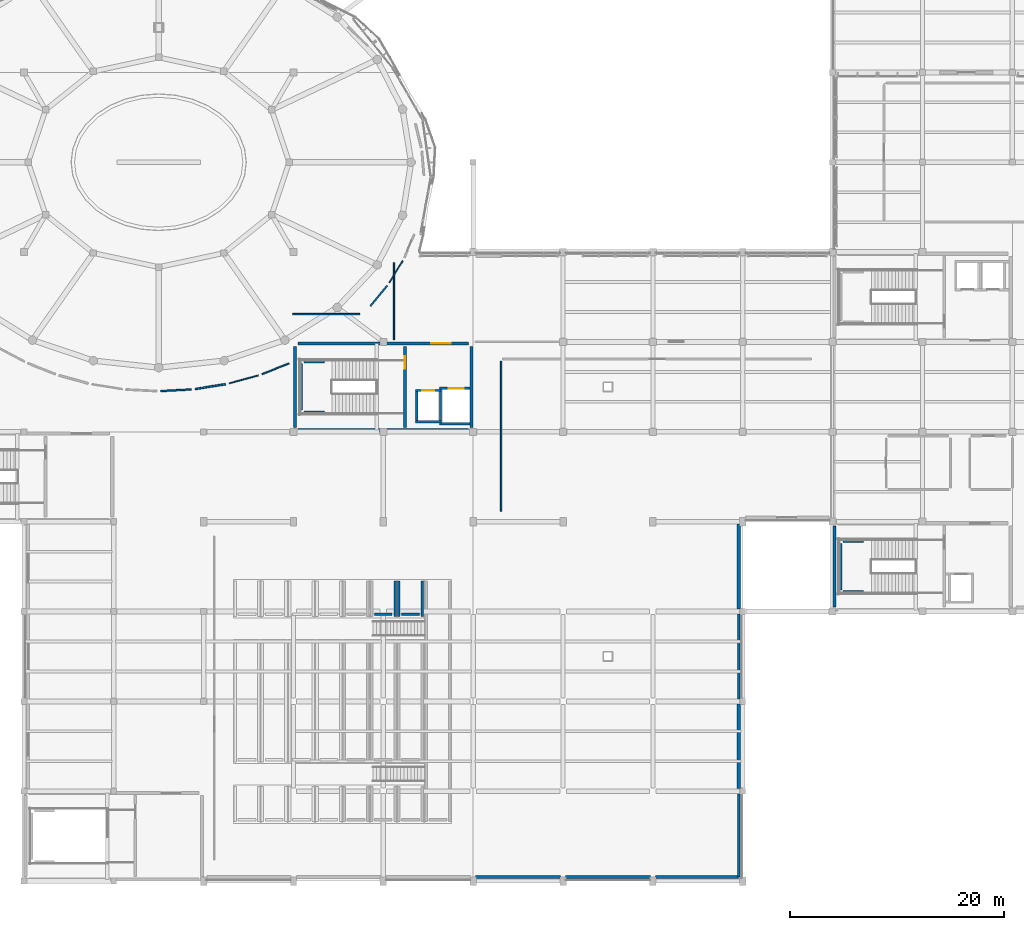
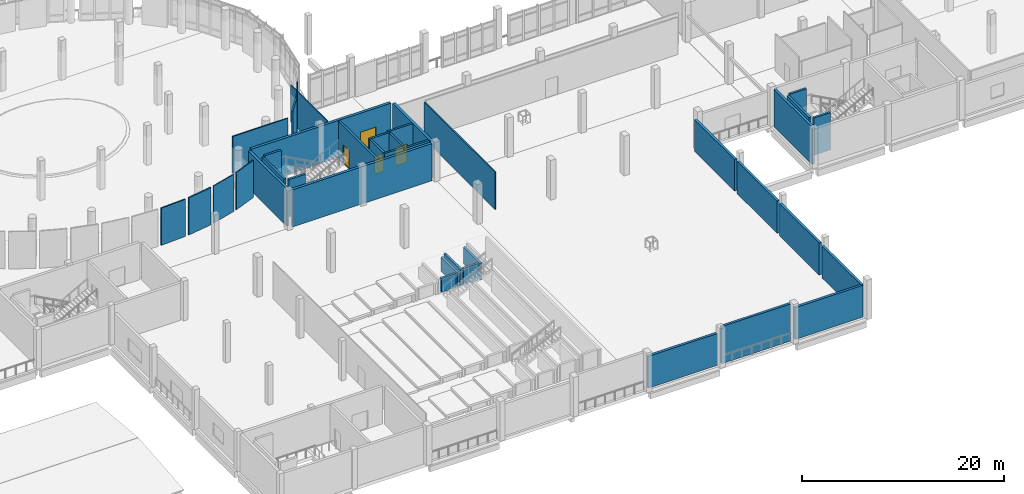
# One storey, part 42 of 63: 39 walls, 4 doors, 4 openings.
"""IFC4 building model written with IfcOpenShell, lengths in metres."""

from ifc_helpers import new_model, si_unit, derived_unit, direction, frame, frame_2d, origin, place, context, subcontext, project, spatial, rectangle, extrude, material, layer, layer_set, type_object, element, fill, save


model = new_model("IFC4")

# Units and contexts
model_context = context("Model", 3, precision=1e-05, world=origin(), true_north=direction((0.0, 1.0)))
body_context = subcontext(model_context, "Body", "Model", "MODEL_VIEW")
ifc_project = project(units=[si_unit("LENGTHUNIT", "METRE"), si_unit("AREAUNIT", "SQUARE_METRE"), si_unit("VOLUMEUNIT", "CUBIC_METRE"), si_unit("PLANEANGLEUNIT", "RADIAN"), si_unit("MASSUNIT", "GRAM", prefix="KILO"), derived_unit("THERMALTRANSMITTANCEUNIT", [(si_unit("POWERUNIT", "WATT"), 1), (si_unit("LENGTHUNIT", "METRE"), -2), (si_unit("THERMODYNAMICTEMPERATUREUNIT", "KELVIN"), -1)])], contexts=[model_context])

# Site, building, storey
site_placement = place(None, origin())
site = spatial("IfcSite", under=ifc_project, at=site_placement, CompositionType="ELEMENT")
building_placement = place(site_placement, origin())
building = spatial("IfcBuilding", under=site, at=building_placement, Name="Elbkamm Science Centre", CompositionType="ELEMENT")
storey_placement = place(building_placement, frame((0.0, 0.0, 5.10009765625)))
storey = spatial("IfcBuildingStorey", under=building, at=storey_placement, Name="L01", CompositionType="ELEMENT", Elevation=5.10009765625)

# Walls
ifc_material_1 = material(Name="Reinforced concrete C40/50", Category="concrete")
ifc_layer_1 = layer(ifc_material_1, 0.25)
ifc_layer_set_1 = layer_set([ifc_layer_1], Name="Reinforced concrete C40/50")
wall_type_1 = type_object("IfcWallType", Name="WL-CORE-250", PredefinedType="SHEAR", material=ifc_layer_set_1)
wall_1_placement = place(storey_placement, frame((76.340087890625, 44.02001953125, 0.0), z_axis=(0.0, 0.0, 1.0), x_axis=(0.0, 1.0, 0.0)))
element("IfcWall", 1, at=wall_1_placement, inside=storey, type_object=wall_type_1, Name="L01 ST-C2 Shaft Bearing Wall W", PredefinedType="SHEAR", context=body_context, shape_type="SweptSolid", body=[
    extrude(rectangle(XDim=4.35986328125, YDim=0.25, at=frame_2d((2.179931640625, 0.0))), origin(), (0.0, 0.0, 1.0), 4.5),
])
for number, where, z_axis, x_axis, name in (
    (2, (76.590087890625, 43.820068359375, 0.0), (0.0, 0.0, 1.0), (1.0, 0.0, 0.0), "L01 ST-C2 Shaft Bearing Wall S"),
    (3, (76.590087890625, 48.580078125, 0.0), (0.0, 0.0, 1.0), (1.0, 0.0, 0.0), "L01 ST-C2 Shaft Bearing Wall N"),
):
    element("IfcWall", number, at=place(storey_placement, frame(where, z_axis=z_axis, x_axis=x_axis)), inside=storey, type_object=wall_type_1, Name=name, PredefinedType="SHEAR", context=body_context, shape_type="SweptSolid", body=[
        extrude(rectangle(XDim=1.889892578125, YDim=0.25, at=frame_2d((0.94482421875, 0.0))), origin(), (0.0, 0.0, 1.0), 4.5),
    ])

# Wall, opening, door
wall_2_placement = place(storey_placement, frame((86.02001953125, 42.419921875, 0.0), z_axis=(0.0, 0.0, 1.0), x_axis=(0.0, 1.0, 0.0)))
wall_2 = element("IfcWall", 4, at=wall_2_placement, inside=storey, type_object=wall_type_1, Name="L01 C2 Stairwell Compartment Wall", PredefinedType="SHEAR", context=body_context, shape_type="SweptSolid", body=[
    extrude(rectangle(XDim=7.56005859375, YDim=0.25, at=frame_2d((3.780029296875, 0.0))), origin(), (0.0, 0.0, 1.0), 4.5),
])
opening_1_placement = place(wall_2_placement, frame((5.4599609375, 0.0, 0.0)))
opening_1 = element("IfcOpeningElement", 5, at=opening_1_placement, cuts=wall_2, Name="Opening DC-02", PredefinedType="OPENING", context=body_context, shape_type="SweptSolid", body=[
    extrude(rectangle(XDim=1.199951171875, YDim=2.199951171875, at=frame_2d((0.60009765625, 1.10009765625))), frame((0.0, 0.136962890625, 0.0), z_axis=(0.0, -1.0, 0.0), x_axis=(1.0, 0.0, 0.0)), (0.0, 0.0, 1.0), 0.27392578125),
])
ifc_material_2 = material(Name="Fire-rated steel acoustic door", Category="steel")
ifc_layer_2 = layer(ifc_material_2, 0.050048828125)
ifc_layer_set_2 = layer_set([ifc_layer_2], Name="Fire-rated steel acoustic door")
door_type_1 = type_object("IfcDoorType", Name="DR-CORE-1200x2200", OperationType="NOTDEFINED", PredefinedType="DOOR", material=ifc_layer_set_2)
door_1_placement = place(opening_1_placement, origin())
door_1 = element("IfcDoor", 6, at=door_1_placement, inside=storey, type_object=door_type_1, Name="L01 ST-C2 Stairwell Fire Door", OperationType="SINGLE_SWING_RIGHT", OverallHeight=2.199951171875, OverallWidth=1.199951171875, PredefinedType="DOOR", context=body_context, shape_type="SweptSolid", body=[
    extrude(rectangle(XDim=1.199951171875, YDim=2.199951171875, at=frame_2d((0.60009765625, 1.10009765625))), frame((0.0, 0.02490234375, 0.0), z_axis=(0.0, -1.0, 0.0), x_axis=(1.0, 0.0, 0.0)), (0.0, 0.0, 1.0), 0.050048828125),
])
fill(opening_1, door_1)

# Walls
wall_3_placement = place(storey_placement, frame((126.739990234375, 27.219970703125, 0.0), z_axis=(0.0, 0.0, 1.0), x_axis=(0.0, 1.0, 0.0)))
element("IfcWall", 7, at=wall_3_placement, inside=storey, type_object=wall_type_1, Name="L01 ST-C4 Shaft Bearing Wall W", PredefinedType="SHEAR", context=body_context, shape_type="SweptSolid", body=[
    extrude(rectangle(XDim=4.360107421875, YDim=0.25, at=frame_2d((2.18017578125, 0.0))), origin(), (0.0, 0.0, 1.0), 4.5),
])
for number, where, z_axis, x_axis, name in (
    (8, (126.989990234375, 27.02001953125, 0.0), (0.0, 0.0, 1.0), (1.0, 0.0, 0.0), "L01 ST-C4 Shaft Bearing Wall S"),
    (9, (126.989990234375, 31.780029296875, 0.0), (0.0, 0.0, 1.0), (1.0, 0.0, 0.0), "L01 ST-C4 Shaft Bearing Wall N"),
):
    element("IfcWall", number, at=place(storey_placement, frame(where, z_axis=z_axis, x_axis=x_axis)), inside=storey, type_object=wall_type_1, Name=name, PredefinedType="SHEAR", context=body_context, shape_type="SweptSolid", body=[
        extrude(rectangle(XDim=1.889892578125, YDim=0.25, at=frame_2d((0.94482421875, 0.0))), origin(), (0.0, 0.0, 1.0), 4.5),
    ])
ifc_layer_3 = layer(ifc_material_1, 0.300048828125)
ifc_layer_set_3 = layer_set([ifc_layer_3], Name="Reinforced concrete C40/50")
wall_type_2 = type_object("IfcWallType", Name="WL-CORE-300", PredefinedType="SHEAR", material=ifc_layer_set_3)
wall_4_placement = place(storey_placement, frame((76.02001953125, 42.14990234375, 0.0), z_axis=(0.0, 0.0, 1.0), x_axis=(1.0, 0.0, 0.0)))
element("IfcWall", 10, at=wall_4_placement, inside=storey, type_object=wall_type_2, Name="L01 Core C2 Central Exhibition and Skybridge Core Shear Wall S", PredefinedType="SHEAR", context=body_context, shape_type="SweptSolid", body=[
    extrude(rectangle(XDim=15.9599609375, YDim=0.300048828125, at=frame_2d((7.97998046875, 0.0))), origin(), (0.0, 0.0, 1.0), 4.5),
])

# Wall, opening, door
wall_5_placement = place(storey_placement, frame((76.02001953125, 50.25, 0.0), z_axis=(0.0, 0.0, 1.0), x_axis=(1.0, 0.0, 0.0)))
wall_5 = element("IfcWall", 11, at=wall_5_placement, inside=storey, type_object=wall_type_2, Name="L01 Core C2 Central Exhibition and Skybridge Core Shear Wall N", PredefinedType="SHEAR", context=body_context, shape_type="SweptSolid", body=[
    extrude(rectangle(XDim=15.9599609375, YDim=0.300048828125, at=frame_2d((7.97998046875, 0.0))), origin(), (0.0, 0.0, 1.0), 4.5),
])
opening_2_placement = place(wall_5_placement, frame((12.4599609375, 0.0, 0.0)))
opening_2 = element("IfcOpeningElement", 12, at=opening_2_placement, cuts=wall_5, Name="Opening DC-01", PredefinedType="OPENING", context=body_context, shape_type="SweptSolid", body=[
    extrude(rectangle(XDim=1.800048828125, YDim=2.199951171875, at=frame_2d((0.89990234375, 1.10009765625))), frame((0.0, 0.162109375, 0.0), z_axis=(0.0, -1.0, 0.0), x_axis=(1.0, 0.0, 0.0)), (0.0, 0.0, 1.0), 0.323974609375),
])
ifc_layer_4 = layer(ifc_material_2, 0.050048828125)
ifc_layer_set_4 = layer_set([ifc_layer_4], Name="Fire-rated steel acoustic door")
door_type_2 = type_object("IfcDoorType", Name="DR-CORE-1800x2200", OperationType="DOUBLE_DOOR_SINGLE_SWING", PredefinedType="DOOR", material=ifc_layer_set_4)
door_2_placement = place(opening_2_placement, origin())
door_2 = element("IfcDoor", 13, at=door_2_placement, inside=storey, type_object=door_type_2, Name="L01 C2 Core Lobby Fire Door", OperationType="DOUBLE_DOOR_SINGLE_SWING", OverallHeight=2.199951171875, OverallWidth=1.800048828125, PredefinedType="DOOR", context=body_context, shape_type="SweptSolid", body=[
    extrude(rectangle(XDim=1.800048828125, YDim=2.199951171875, at=frame_2d((0.89990234375, 1.10009765625))), frame((0.0, 0.02490234375, 0.0), z_axis=(0.0, -1.0, 0.0), x_axis=(1.0, 0.0, 0.0)), (0.0, 0.0, 1.0), 0.050048828125),
])
fill(opening_2, door_2)

# Walls
for number, where, z_axis, x_axis, name in (
    (14, (75.75, 42.419921875, 0.0), (0.0, 0.0, 1.0), (0.0, 1.0, 0.0), "L01 Core C2 Central Exhibition and Skybridge Core Shear Wall W"),
    (15, (92.25, 42.419921875, 0.0), (0.0, 0.0, 1.0), (0.0, 1.0, 0.0), "L01 Core C2 Central Exhibition and Skybridge Core Shear Wall E"),
):
    element("IfcWall", number, at=place(storey_placement, frame(where, z_axis=z_axis, x_axis=x_axis)), inside=storey, type_object=wall_type_2, Name=name, PredefinedType="SHEAR", context=body_context, shape_type="SweptSolid", body=[
        extrude(rectangle(XDim=7.56005859375, YDim=0.300048828125, at=frame_2d((3.780029296875, 0.0))), origin(), (0.0, 0.0, 1.0), 4.5),
    ])
wall_6_placement = place(storey_placement, frame((126.179931640625, 25.6201171875, 0.0), z_axis=(0.0, 0.0, 1.0), x_axis=(0.0, 1.0, 0.0)))
element("IfcWall", 16, at=wall_6_placement, inside=storey, type_object=wall_type_2, Name="L01 Core C4 Southeast Workshops and Library Core Shear Wall W", PredefinedType="SHEAR", context=body_context, shape_type="SweptSolid", body=[
    extrude(rectangle(XDim=7.559814453125, YDim=0.300048828125, at=frame_2d((3.77978515625, 0.0))), origin(), (0.0, 0.0, 1.0), 4.5),
])
ifc_material_3 = material(Name="White precast concrete C40/50", Category="concrete")
ifc_layer_5 = layer(ifc_material_3, 0.27001953125)
ifc_layer_set_5 = layer_set([ifc_layer_5], Name="White precast concrete C40/50")
wall_type_3 = type_object("IfcWallType", Name="WL-EXT-270", PredefinedType="SOLIDWALL", material=ifc_layer_set_5)
wall_7_placement = place(storey_placement, frame((117.219970703125, 24.9609375, 0.0), z_axis=(0.0, 0.0, 1.0), x_axis=(0.0, -1.0, 0.0)))
element("IfcWall", 17, at=wall_7_placement, inside=storey, type_object=wall_type_3, Name="L01 Exterior Wall 0189", PredefinedType="SOLIDWALL", context=body_context, shape_type="SweptSolid", body=[
    extrude(rectangle(XDim=7.921875, YDim=0.27001953125, at=frame_2d((3.9609375, 0.0))), origin(), (0.0, 0.0, 1.0), 3.89990234375),
])
wall_8_placement = place(storey_placement, frame((117.219970703125, 8.160888671875, 0.0), z_axis=(0.0, 0.0, 1.0), x_axis=(0.0, -1.0, 0.0)))
element("IfcWall", 18, at=wall_8_placement, inside=storey, type_object=wall_type_3, Name="L01 Exterior Wall 0191", PredefinedType="SOLIDWALL", context=body_context, shape_type="SweptSolid", body=[
    extrude(rectangle(XDim=7.781005859375, YDim=0.27001953125, at=frame_2d((3.890625, 0.0))), origin(), (0.0, 0.0, 1.0), 3.849853515625),
])
wall_9_placement = place(storey_placement, frame((108.9609375, 0.3798828125, 0.0), z_axis=(0.0, 0.0, 1.0), x_axis=(-1.0, 0.0, 0.0)))
element("IfcWall", 19, at=wall_9_placement, inside=storey, type_object=wall_type_3, Name="L01 Exterior Wall 0193", PredefinedType="SOLIDWALL", context=body_context, shape_type="SweptSolid", body=[
    extrude(rectangle(XDim=7.921875, YDim=0.27001953125, at=frame_2d((3.9609375, 0.0))), origin(), (0.0, 0.0, 1.0), 4.5),
])
ifc_layer_6 = layer(ifc_material_3, 0.2900390625)
ifc_layer_set_6 = layer_set([ifc_layer_6], Name="White precast concrete C40/50")
wall_type_4 = type_object("IfcWallType", Name="WL-EXT-290", PredefinedType="SOLIDWALL", material=ifc_layer_set_6)
wall_10_placement = place(storey_placement, frame((117.219970703125, 33.36083984375, 0.0), z_axis=(0.0, 0.0, 1.0), x_axis=(0.0, -1.0, 0.0)))
element("IfcWall", 20, at=wall_10_placement, inside=storey, type_object=wall_type_4, Name="L01 Exterior Wall 0188", PredefinedType="SOLIDWALL", context=body_context, shape_type="SweptSolid", body=[
    extrude(rectangle(XDim=7.921630859375, YDim=0.2900390625, at=frame_2d((3.9609375, 0.0))), origin(), (0.0, 0.0, 1.0), 3.849853515625),
])
wall_11_placement = place(storey_placement, frame((117.219970703125, 16.560791015625, 0.0), z_axis=(0.0, 0.0, 1.0), x_axis=(0.0, -1.0, 0.0)))
element("IfcWall", 21, at=wall_11_placement, inside=storey, type_object=wall_type_4, Name="L01 Exterior Wall 0190", PredefinedType="SOLIDWALL", context=body_context, shape_type="SweptSolid", body=[
    extrude(rectangle(XDim=7.8837890625, YDim=0.2900390625, at=frame_2d((3.94189453125, 0.0))), origin(), (0.0, 0.0, 1.0), 3.89990234375),
])
wall_12_placement = place(storey_placement, frame((117.219970703125, 0.3798828125, 0.0), z_axis=(0.0, 0.0, 1.0), x_axis=(-1.0, 0.0, 0.0)))
element("IfcWall", 22, at=wall_12_placement, inside=storey, type_object=wall_type_4, Name="L01 Exterior Wall 0192", PredefinedType="SOLIDWALL", context=body_context, shape_type="SweptSolid", body=[
    extrude(rectangle(XDim=7.78076171875, YDim=0.2900390625, at=frame_2d((3.890380859375, 0.0))), origin(), (0.0, 0.0, 1.0), 3.849853515625),
])
wall_13_placement = place(storey_placement, frame((100.560791015625, 0.3798828125, 0.0), z_axis=(0.0, 0.0, 1.0), x_axis=(-1.0, 0.0, 0.0)))
element("IfcWall", 23, at=wall_13_placement, inside=storey, type_object=wall_type_4, Name="L01 Exterior Wall 0194", PredefinedType="SOLIDWALL", context=body_context, shape_type="SweptSolid", body=[
    extrude(rectangle(XDim=7.921630859375, YDim=0.2900390625, at=frame_2d((3.9609375, 0.0))), origin(), (0.0, 0.0, 1.0), 3.849853515625),
])
ifc_material_4 = material(Name="Drywall service partition", Category="gypsum")
ifc_layer_7 = layer(ifc_material_4, 0.10009765625)
ifc_layer_set_7 = layer_set([ifc_layer_7], Name="Drywall service partition")
wall_type_5 = type_object("IfcWallType", Name="WL-PART-100", PredefinedType="PARTITIONING", material=ifc_layer_set_7)
wall_14_placement = place(storey_placement, frame((72.31689453125, 47.27490234375, 0.0), z_axis=(0.0, 0.0, 1.0), x_axis=(-0.96451408242, -0.264031408763, 0.0)))
element("IfcWall", 24, at=wall_14_placement, inside=storey, type_object=wall_type_5, Name="L01 Marine Ecology Exhibition Hall Partition 0087", PredefinedType="PARTITIONING", context=body_context, shape_type="SweptSolid", body=[
    extrude(rectangle(XDim=2.824951171875, YDim=0.10009765625, at=frame_2d((1.41259765625, 0.0))), origin(), (0.0, 0.0, 1.0), 4.5),
])
wall_15_placement = place(storey_placement, frame((85.818359375, 57.99267578125, 0.0), z_axis=(0.0, 0.0, 1.0), x_axis=(-0.521747455483, -0.853099989859, 0.0)))
element("IfcWall", 25, at=wall_15_placement, inside=storey, type_object=wall_type_5, Name="L01 Marine Ecology Exhibition Hall Partition 0111", PredefinedType="PARTITIONING", context=body_context, shape_type="SweptSolid", body=[
    extrude(rectangle(XDim=2.39013671875, YDim=0.10009765625, at=frame_2d((1.195068359375, 0.0))), origin(), (0.0, 0.0, 1.0), 4.5),
])
wall_16_placement = place(storey_placement, frame((85.0, 50.60009765625, 0.0), z_axis=(0.0, 0.0, 1.0), x_axis=(0.0, 1.0, 0.0)))
element("IfcWall", 26, at=wall_16_placement, inside=storey, type_object=wall_type_5, Name="L01 Warft Plinth Discovery Concourse Partition 0127", PredefinedType="PARTITIONING", context=body_context, shape_type="SweptSolid", body=[
    extrude(rectangle(XDim=7.219970703125, YDim=0.10009765625, at=frame_2d((3.60986328125, 0.0))), origin(), (0.0, 0.0, 1.0), 4.5),
])
ifc_material_5 = material(Name="Lightweight metal-stud gypsum partition", Category="gypsum")
ifc_layer_8 = layer(ifc_material_5, 0.125)
ifc_layer_set_8 = layer_set([ifc_layer_8], Name="Lightweight metal-stud gypsum partition")
wall_type_6 = type_object("IfcWallType", Name="WL-PART-125", PredefinedType="PARTITIONING", material=ifc_layer_set_8)
wall_17_placement = place(storey_placement, frame((75.1826171875, 48.39306640625, 0.0), z_axis=(0.0, 0.0, 1.0), x_axis=(-0.929212237447, -0.369546502864, 0.0)))
element("IfcWall", 27, at=wall_17_placement, inside=storey, type_object=wall_type_6, Name="L01 Marine Ecology Exhibition Hall Partition 0114", PredefinedType="PARTITIONING", context=body_context, shape_type="SweptSolid", body=[
    extrude(rectangle(XDim=2.71728515625, YDim=0.125, at=frame_2d((1.358642578125, 0.0))), origin(), (0.0, 0.0, 1.0), 4.5),
])
ifc_material_6 = material(Name="Acoustic metal-stud gypsum partition", Category="gypsum")
ifc_layer_9 = layer(ifc_material_6, 0.139892578125)
ifc_layer_set_9 = layer_set([ifc_layer_9], Name="Acoustic metal-stud gypsum partition")
wall_type_7 = type_object("IfcWallType", Name="WL-PART-140", PredefinedType="PARTITIONING", material=ifc_layer_set_9)
wall_18_placement = place(storey_placement, frame((66.057373046875, 45.961669921875, 0.0), z_axis=(0.0, 0.0, 1.0), x_axis=(-0.99860610279, -0.052781165864, 0.0)))
element("IfcWall", 28, at=wall_18_placement, inside=storey, type_object=wall_type_7, Name="L01 Marine Ecology Exhibition Hall Partition 0089", PredefinedType="PARTITIONING", context=body_context, shape_type="SweptSolid", body=[
    extrude(rectangle(XDim=2.881591796875, YDim=0.139892578125, at=frame_2d((1.44091796875, 0.0))), origin(), (0.0, 0.0, 1.0), 4.5),
])
wall_19_placement = place(storey_placement, frame((81.815673828125, 53.0, 0.0), z_axis=(0.0, 0.0, 1.0), x_axis=(-1.0, 0.0, 0.0)))
element("IfcWall", 29, at=wall_19_placement, inside=storey, type_object=wall_type_7, Name="L01 Marine Ecology Exhibition Hall Partition 0113", PredefinedType="PARTITIONING", context=body_context, shape_type="SweptSolid", body=[
    extrude(rectangle(XDim=6.28564453125, YDim=0.139892578125, at=frame_2d((3.142822265625, 0.0))), origin(), (0.0, 0.0, 1.0), 4.5),
])
wall_20_placement = place(storey_placement, frame((95.0, 34.580078125, 0.0), z_axis=(0.0, 0.0, 1.0), x_axis=(0.0, 1.0, 0.0)))
element("IfcWall", 30, at=wall_20_placement, inside=storey, type_object=wall_type_7, Name="L01 Interactive Discovery Studio Partition 0125", PredefinedType="PARTITIONING", context=body_context, shape_type="SweptSolid", body=[
    extrude(rectangle(XDim=14.0400390625, YDim=0.139892578125, at=frame_2d((7.02001953125, 0.0))), origin(), (0.0, 0.0, 1.0), 4.5),
])
ifc_layer_10 = layer(ifc_material_6, 0.159912109375)
ifc_layer_set_10 = layer_set([ifc_layer_10], Name="Acoustic metal-stud gypsum partition")
wall_type_8 = type_object("IfcWallType", Name="WL-PART-160", PredefinedType="PARTITIONING", material=ifc_layer_set_10)
wall_21_placement = place(storey_placement, frame((69.240966796875, 46.452880859375, 0.0), z_axis=(0.0, 0.0, 1.0), x_axis=(-0.987376146081, -0.158393011686, 0.0)))
element("IfcWall", 31, at=wall_21_placement, inside=storey, type_object=wall_type_8, Name="L01 Marine Ecology Exhibition Hall Partition 0088", PredefinedType="PARTITIONING", context=body_context, shape_type="SweptSolid", body=[
    extrude(rectangle(XDim=2.8623046875, YDim=0.159912109375, at=frame_2d((1.43115234375, 0.0))), origin(), (0.0, 0.0, 1.0), 4.5),
])
wall_22_placement = place(storey_placement, frame((84.362548828125, 55.661376953125, 0.0), z_axis=(0.0, 0.0, 1.0), x_axis=(-0.637999406025, -0.770036854905, 0.0)))
element("IfcWall", 32, at=wall_22_placement, inside=storey, type_object=wall_type_8, Name="L01 Marine Ecology Exhibition Hall Partition 0112", PredefinedType="PARTITIONING", context=body_context, shape_type="SweptSolid", body=[
    extrude(rectangle(XDim=2.46484375, YDim=0.159912109375, at=frame_2d((1.232421875, 0.0))), origin(), (0.0, 0.0, 1.0), 4.5),
])
ifc_layer_11 = layer(ifc_material_1, 0.239990234375)
ifc_layer_set_11 = layer_set([ifc_layer_11], Name="Reinforced concrete C40/50")
wall_type_9 = type_object("IfcWallType", Name="WL-RISER-240", PredefinedType="SOLIDWALL", material=ifc_layer_set_11)
wall_23_placement = place(storey_placement, frame((85.10009765625, 24.75, 0.0), z_axis=(0.0, 0.0, 1.0), x_axis=(0.0, 1.0, 0.0)))
element("IfcWall", 33, at=wall_23_placement, inside=storey, type_object=wall_type_9, Name="Theatre Tier 6-2 Riser Support Wall B", PredefinedType="SOLIDWALL", context=body_context, shape_type="SweptSolid", body=[
    extrude(rectangle(XDim=3.300048828125, YDim=0.239990234375, at=frame_2d((1.64990234375, 0.0))), origin(), (0.0, 0.0, 1.0), 1.68994140625),
])
wall_24_placement = place(storey_placement, frame((83.169921875, 24.949951171875, 0.0), z_axis=(0.0, 0.0, 1.0), x_axis=(1.0, 0.0, 0.0)))
element("IfcWall", 34, at=wall_24_placement, inside=storey, type_object=wall_type_9, Name="Theatre Tier 6-2 Cross Raker Wall", PredefinedType="SOLIDWALL", context=body_context, shape_type="SweptSolid", body=[
    extrude(rectangle(XDim=1.66015625, YDim=0.239990234375, at=frame_2d((0.830078125, 0.0))), origin(), (0.0, 0.0, 1.0), 1.68994140625),
])
for number, where, z_axis, x_axis, name in (
    (35, (85.449951171875, 24.75, 0.0), (0.0, 0.0, 1.0), (0.0, 1.0, 0.0), "Theatre Tier 7-2 Riser Support Wall F"),
    (36, (87.64990234375, 24.75, 0.0), (0.0, 0.0, 1.0), (0.0, 1.0, 0.0), "Theatre Tier 7-2 Riser Support Wall B"),
):
    element("IfcWall", number, at=place(storey_placement, frame(where, z_axis=z_axis, x_axis=x_axis)), inside=storey, type_object=wall_type_9, Name=name, PredefinedType="SOLIDWALL", context=body_context, shape_type="SweptSolid", body=[
        extrude(rectangle(XDim=3.300048828125, YDim=0.239990234375, at=frame_2d((1.64990234375, 0.0))), origin(), (0.0, 0.0, 1.0), 2.010009765625),
    ])
wall_25_placement = place(storey_placement, frame((85.719970703125, 24.949951171875, 0.0), z_axis=(0.0, 0.0, 1.0), x_axis=(1.0, 0.0, 0.0)))
element("IfcWall", 37, at=wall_25_placement, inside=storey, type_object=wall_type_9, Name="Theatre Tier 7-2 Cross Raker Wall", PredefinedType="SOLIDWALL", context=body_context, shape_type="SweptSolid", body=[
    extrude(rectangle(XDim=1.659912109375, YDim=0.239990234375, at=frame_2d((0.830078125, 0.0))), origin(), (0.0, 0.0, 1.0), 2.010009765625),
])
ifc_layer_12 = layer(ifc_material_1, 0.219970703125)
ifc_layer_set_12 = layer_set([ifc_layer_12], Name="Reinforced concrete C40/50")
wall_type_10 = type_object("IfcWallType", Name="WL-SHAFT-220", PredefinedType="SOLIDWALL", material=ifc_layer_set_12)
wall_26_placement = place(storey_placement, frame((87.139892578125, 43.050048828125, 0.0), z_axis=(0.0, 0.0, 1.0), x_axis=(0.0, 1.0, 0.0)))
element("IfcWall", 38, at=wall_26_placement, inside=storey, type_object=wall_type_10, Name="L01 Lift FF2 Shaft West Wall", PredefinedType="SOLIDWALL", context=body_context, shape_type="SweptSolid", body=[
    extrude(rectangle(XDim=2.699951171875, YDim=0.219970703125, at=frame_2d((1.35009765625, 0.0))), origin(), (0.0, 0.0, 1.0), 4.5),
])
wall_27_placement = place(storey_placement, frame((87.030029296875, 42.93994140625, 0.0), z_axis=(0.0, 0.0, 1.0), x_axis=(1.0, 0.0, 0.0)))
element("IfcWall", 39, at=wall_27_placement, inside=storey, type_object=wall_type_10, Name="L01 Lift FF2 Shaft Back Wall", PredefinedType="SOLIDWALL", context=body_context, shape_type="SweptSolid", body=[
    extrude(rectangle(XDim=2.429931640625, YDim=0.219970703125, at=frame_2d((1.21484375, 0.0))), origin(), (0.0, 0.0, 1.0), 4.5),
])

# Wall, opening, door
wall_28_placement = place(storey_placement, frame((87.030029296875, 45.860107421875, 0.0), z_axis=(0.0, 0.0, 1.0), x_axis=(1.0, 0.0, 0.0)))
wall_28 = element("IfcWall", 40, at=wall_28_placement, inside=storey, type_object=wall_type_10, Name="L01 Lift FF2 Shaft Front Wall", PredefinedType="SOLIDWALL", context=body_context, shape_type="SweptSolid", body=[
    extrude(rectangle(XDim=2.429931640625, YDim=0.219970703125, at=frame_2d((1.21484375, 0.0))), origin(), (0.0, 0.0, 1.0), 4.5),
])
opening_3_placement = place(wall_28_placement, frame((0.6201171875, 0.0, 0.0)))
opening_3 = element("IfcOpeningElement", 41, at=opening_3_placement, cuts=wall_28, Name="Opening LD-01", PredefinedType="OPENING", context=body_context, shape_type="SweptSolid", body=[
    extrude(rectangle(XDim=1.10009765625, YDim=2.14990234375, at=frame_2d((0.550048828125, 1.074951171875))), frame((0.0, 0.1220703125, 0.0), z_axis=(0.0, -1.0, 0.0), x_axis=(1.0, 0.0, 0.0)), (0.0, 0.0, 1.0), 0.243896484375),
])
ifc_material_7 = material(Name="Stainless steel lift landing door", Category="steel")
ifc_layer_13 = layer(ifc_material_7, 0.050048828125)
ifc_layer_set_13 = layer_set([ifc_layer_13], Name="Stainless steel lift landing door")
door_type_3 = type_object("IfcDoorType", Name="DR-LIFT-1100x2150", OperationType="DOUBLE_DOOR_SLIDING", PredefinedType="DOOR", material=ifc_layer_set_13)
door_3_placement = place(opening_3_placement, origin())
door_3 = element("IfcDoor", 42, at=door_3_placement, inside=storey, type_object=door_type_3, Name="L01 Lift FF2 Sliding Landing Door", OperationType="DOUBLE_DOOR_SLIDING", OverallHeight=2.14990234375, OverallWidth=1.10009765625, PredefinedType="DOOR", context=body_context, shape_type="SweptSolid", body=[
    extrude(rectangle(XDim=1.10009765625, YDim=2.14990234375, at=frame_2d((0.550048828125, 1.074951171875))), frame((0.0, 0.02490234375, 0.0), z_axis=(0.0, -1.0, 0.0), x_axis=(1.0, 0.0, 0.0)), (0.0, 0.0, 1.0), 0.050048828125),
])
fill(opening_3, door_3)

# Walls
wall_29_placement = place(storey_placement, frame((89.35009765625, 42.85009765625, 0.0), z_axis=(0.0, 0.0, 1.0), x_axis=(0.0, 1.0, 0.0)))
element("IfcWall", 43, at=wall_29_placement, inside=storey, type_object=wall_type_10, Name="L01 Lift GL1 Shaft Divider Wall", PredefinedType="SOLIDWALL", context=body_context, shape_type="SweptSolid", body=[
    extrude(rectangle(XDim=3.099853515625, YDim=0.219970703125, at=frame_2d((1.5498046875, 0.0))), origin(), (0.0, 0.0, 1.0), 4.5),
])
wall_30_placement = place(storey_placement, frame((89.239990234375, 42.739990234375, 0.0), z_axis=(0.0, 0.0, 1.0), x_axis=(1.0, 0.0, 0.0)))
element("IfcWall", 44, at=wall_30_placement, inside=storey, type_object=wall_type_10, Name="L01 Lift GL1 Shaft Back Wall", PredefinedType="SOLIDWALL", context=body_context, shape_type="SweptSolid", body=[
    extrude(rectangle(XDim=2.860107421875, YDim=0.219970703125, at=frame_2d((1.43017578125, 0.0))), origin(), (0.0, 0.0, 1.0), 4.5),
])

# Wall, opening, door
wall_31_placement = place(storey_placement, frame((89.239990234375, 46.06005859375, 0.0), z_axis=(0.0, 0.0, 1.0), x_axis=(1.0, 0.0, 0.0)))
wall_31 = element("IfcWall", 45, at=wall_31_placement, inside=storey, type_object=wall_type_10, Name="L01 Lift GL1 Shaft Front Wall", PredefinedType="SOLIDWALL", context=body_context, shape_type="SweptSolid", body=[
    extrude(rectangle(XDim=2.860107421875, YDim=0.219970703125, at=frame_2d((1.43017578125, 0.0))), origin(), (0.0, 0.0, 1.0), 4.5),
])
opening_4_placement = place(wall_31_placement, frame((0.860107421875, 0.0, 0.0)))
opening_4 = element("IfcOpeningElement", 46, at=opening_4_placement, cuts=wall_31, Name="Opening LD-02", PredefinedType="OPENING", context=body_context, shape_type="SweptSolid", body=[
    extrude(rectangle(XDim=1.39990234375, YDim=2.199951171875, at=frame_2d((0.699951171875, 1.10009765625))), frame((0.0, 0.1220703125, 0.0), z_axis=(0.0, -1.0, 0.0), x_axis=(1.0, 0.0, 0.0)), (0.0, 0.0, 1.0), 0.243896484375),
])
ifc_material_8 = material(Name="Stainless steel freight lift landing door", Category="steel")
ifc_layer_14 = layer(ifc_material_8, 0.050048828125)
ifc_layer_set_14 = layer_set([ifc_layer_14], Name="Stainless steel freight lift landing door")
door_type_4 = type_object("IfcDoorType", Name="DR-LIFT-1400x2200", OperationType="DOUBLE_DOOR_SLIDING", PredefinedType="DOOR", material=ifc_layer_set_14)
door_4_placement = place(opening_4_placement, origin())
door_4 = element("IfcDoor", 47, at=door_4_placement, inside=storey, type_object=door_type_4, Name="L01 Lift GL1 Sliding Landing Door", OperationType="DOUBLE_DOOR_SLIDING", OverallHeight=2.199951171875, OverallWidth=1.39990234375, PredefinedType="DOOR", context=body_context, shape_type="SweptSolid", body=[
    extrude(rectangle(XDim=1.39990234375, YDim=2.199951171875, at=frame_2d((0.699951171875, 1.10009765625))), frame((0.0, 0.02490234375, 0.0), z_axis=(0.0, -1.0, 0.0), x_axis=(1.0, 0.0, 0.0)), (0.0, 0.0, 1.0), 0.050048828125),
])
fill(opening_4, door_4)

save(model, "model.ifc")
